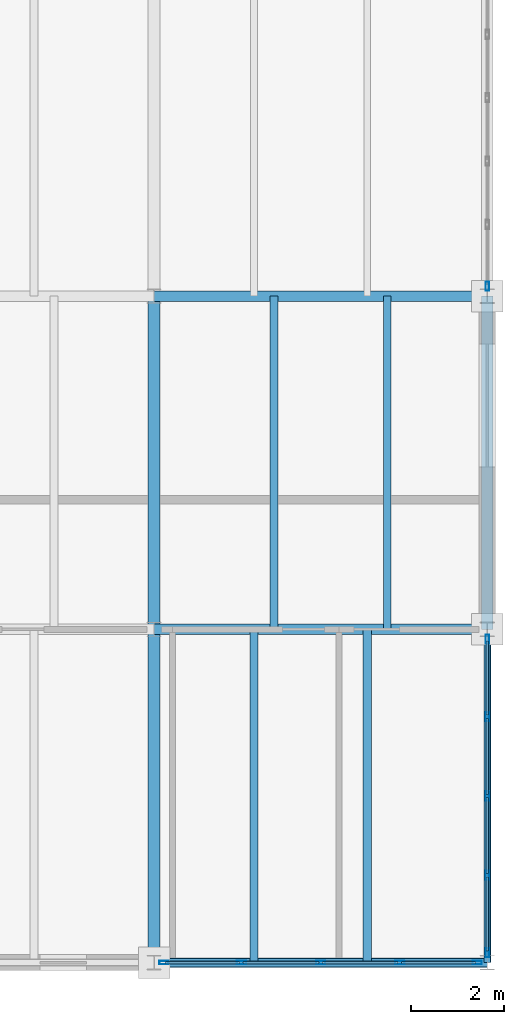
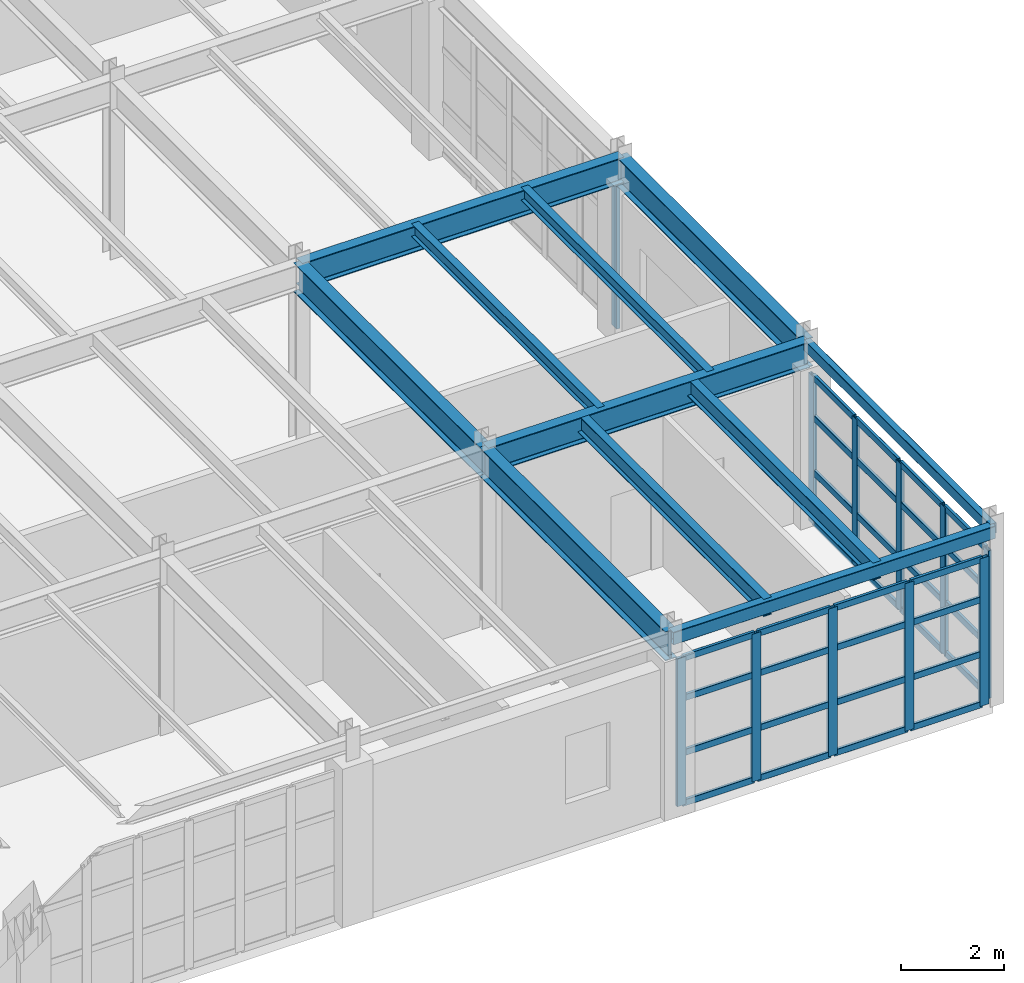
# One storey, part 94 of 137: 43 members, 11 beams, 3 elements without a shape of their own.
"""IFC4 building model written with IfcOpenShell, lengths in metres."""

from ifc_helpers import new_model, si_unit, direction, frame, origin, origin_2d, place, context, subcontext, project, spatial, hollow_rectangle, i_section, extrude, material, layer, layer_set, material_profile, profile_set, type_object, element, aggregate, save


model = new_model("IFC4")

# Units and contexts
model_context = context("Model", 3, precision=1e-05, world=origin(), true_north=direction((0.0, 1.0)))
body_context = subcontext(model_context, "Body", "Model", "MODEL_VIEW")
ifc_project = project(units=[si_unit("LENGTHUNIT", "METRE"), si_unit("AREAUNIT", "SQUARE_METRE"), si_unit("VOLUMEUNIT", "CUBIC_METRE"), si_unit("PLANEANGLEUNIT", "RADIAN"), si_unit("MASSUNIT", "GRAM", prefix="KILO")], contexts=[model_context])

# Site, building, storey
site_placement = place(None, origin())
site = spatial("IfcSite", under=ifc_project, at=site_placement, CompositionType="ELEMENT")
building_placement = place(site_placement, origin())
building = spatial("IfcBuilding", under=site, at=building_placement, Name="Kemerveld Promenade Tramway Depot", CompositionType="ELEMENT")
storey_placement = place(building_placement, frame((0.0, 0.0, 5.39990234375)))
storey = spatial("IfcBuildingStorey", under=building, at=storey_placement, Name="L01", CompositionType="ELEMENT", Elevation=5.39990234375)

# Beams
ifc_material_1 = material(Name="Steel S355", Category="steel")
ifc_material_profile_1 = material_profile(ifc_material_1, i_section(OverallWidth=0.25439453125, OverallDepth=0.6875, WebThickness=0.01318359375, FlangeThickness=0.02099609375, FilletRadius=0.01513671875, at=origin_2d()), Name="686x254x152 UB")
ifc_profile_set_1 = profile_set([ifc_material_profile_1], Name="Steel S355")
beam_type_1 = type_object("IfcBeamType", Name="BM-G03", PredefinedType="BEAM", material=ifc_profile_set_1)
for number, where, z_axis, x_axis, name in (
    (1, (208.800048828125, 0.0, 3.856201171875), (0.0, 1.0, 0.0), (-1.0, 0.0, 0.0), "BMY-L01-30-A-B"),
    (2, (208.800048828125, 7.199951171875, 3.856201171875), (0.0, 1.0, 0.0), (-1.0, 0.0, 0.0), "BMY-L01-30-B-C"),
    (3, (216.0, 7.199951171875, 3.856201171875), (0.0, 1.0, 0.0), (-1.0, 0.0, 0.0), "BMY-L01-31-B-C"),
):
    element("IfcBeam", number, at=place(storey_placement, frame(where, z_axis=z_axis, x_axis=x_axis)), inside=storey, type_object=beam_type_1, Name=name, PredefinedType="BEAM", context=body_context, shape_type="SweptSolid", body=[
        extrude(i_section(OverallWidth=0.25439453125, OverallDepth=0.6875, WebThickness=0.01318359375, FlangeThickness=0.02099609375, FilletRadius=0.01513671875, at=origin_2d()), origin(), (0.0, 0.0, 1.0), 7.199951171875),
    ])
ifc_material_profile_2 = material_profile(ifc_material_1, i_section(OverallWidth=0.22900390625, OverallDepth=0.6123046875, WebThickness=0.011962890625, FlangeThickness=0.01953125, FilletRadius=0.0126953125, at=origin_2d()), Name="610x229x125 UB")
ifc_profile_set_2 = profile_set([ifc_material_profile_2], Name="Steel S355")
beam_type_2 = type_object("IfcBeamType", Name="BM-G04", PredefinedType="BEAM", material=ifc_profile_set_2)
for number, where, z_axis, x_axis, name in (
    (4, (208.800048828125, 7.199951171875, 3.89404296875), (1.0, 0.0, 0.0), (0.0, 1.0, 0.0), "BMX-L01-30-31-B"),
    (5, (208.800048828125, 14.39990234375, 3.89404296875), (1.0, 0.0, 0.0), (0.0, 1.0, 0.0), "BMX-L01-30-31-C"),
):
    element("IfcBeam", number, at=place(storey_placement, frame(where, z_axis=z_axis, x_axis=x_axis)), inside=storey, type_object=beam_type_2, Name=name, PredefinedType="BEAM", context=body_context, shape_type="SweptSolid", body=[
        extrude(i_section(OverallWidth=0.22900390625, OverallDepth=0.6123046875, WebThickness=0.011962890625, FlangeThickness=0.01953125, FilletRadius=0.0126953125, at=origin_2d()), origin(), (0.0, 0.0, 1.0), 7.199951171875),
    ])
ifc_material_profile_3 = material_profile(ifc_material_1, hollow_rectangle(XDim=0.199951171875, YDim=0.300048828125, WallThickness=0.012451171875, InnerFilletRadius=0.00634765625, OuterFilletRadius=0.018798828125, at=origin_2d()), Name="300x200x12.5 RHS")
ifc_profile_set_3 = profile_set([ifc_material_profile_3], Name="Steel S355")
beam_type_3 = type_object("IfcBeamType", Name="BM-G18", PredefinedType="BEAM", material=ifc_profile_set_3)
beam_1_placement = place(storey_placement, frame((208.800048828125, 0.0, 4.050048828125), z_axis=(1.0, 0.0, 0.0), x_axis=(0.0, 1.0, 0.0)))
element("IfcBeam", 6, at=beam_1_placement, inside=storey, type_object=beam_type_3, Name="BMX-L01-30-31-A", PredefinedType="BEAM", context=body_context, shape_type="SweptSolid", body=[
    extrude(hollow_rectangle(XDim=0.199951171875, YDim=0.300048828125, WallThickness=0.012451171875, InnerFilletRadius=0.00634765625, OuterFilletRadius=0.018798828125, at=origin_2d()), origin(), (0.0, 0.0, 1.0), 7.199951171875),
])
ifc_material_profile_4 = material_profile(ifc_material_1, i_section(OverallWidth=0.165771484375, OverallDepth=0.306640625, WebThickness=0.006591796875, FlangeThickness=0.01171875, FilletRadius=0.0087890625, at=origin_2d()), Name="305x165x46 UB")
ifc_profile_set_4 = profile_set([ifc_material_profile_4], Name="Steel S355")
beam_type_4 = type_object("IfcBeamType", Name="BM-J01", PredefinedType="JOIST", material=ifc_profile_set_4)
for number, where, z_axis, x_axis, name in (
    (7, (211.39208984375, 7.199951171875, 4.046875), (0.0, 1.0, 0.0), (-1.0, 0.0, 0.0), "JST-L01-30-B-1"),
    (8, (213.840087890625, 7.199951171875, 4.046875), (0.0, 1.0, 0.0), (-1.0, 0.0, 0.0), "JST-L01-30-B-2"),
):
    element("IfcBeam", number, at=place(storey_placement, frame(where, z_axis=z_axis, x_axis=x_axis)), inside=storey, type_object=beam_type_4, Name=name, PredefinedType="JOIST", context=body_context, shape_type="SweptSolid", body=[
        extrude(i_section(OverallWidth=0.165771484375, OverallDepth=0.306640625, WebThickness=0.006591796875, FlangeThickness=0.01171875, FilletRadius=0.0087890625, at=origin_2d()), origin(), (0.0, 0.0, 1.0), 7.199951171875),
    ])
ifc_material_profile_5 = material_profile(ifc_material_1, i_section(OverallWidth=0.1787109375, OverallDepth=0.409423828125, WebThickness=0.0087890625, FlangeThickness=0.014404296875, FilletRadius=0.01025390625, at=origin_2d()), Name="406x178x67 UB")
ifc_profile_set_5 = profile_set([ifc_material_profile_5], Name="Steel S355")
beam_type_5 = type_object("IfcBeamType", Name="BM-J05", PredefinedType="JOIST", material=ifc_profile_set_5)
for number, where, z_axis, x_axis, name in (
    (9, (210.9599609375, 0.0, 3.995361328125), (0.0, 1.0, 0.0), (-1.0, 0.0, 0.0), "JST-L01-30-A-1"),
    (10, (213.407958984375, 0.0, 3.995361328125), (0.0, 1.0, 0.0), (-1.0, 0.0, 0.0), "JST-L01-30-A-2"),
):
    element("IfcBeam", number, at=place(storey_placement, frame(where, z_axis=z_axis, x_axis=x_axis)), inside=storey, type_object=beam_type_5, Name=name, PredefinedType="JOIST", context=body_context, shape_type="SweptSolid", body=[
        extrude(i_section(OverallWidth=0.1787109375, OverallDepth=0.409423828125, WebThickness=0.0087890625, FlangeThickness=0.014404296875, FilletRadius=0.01025390625, at=origin_2d()), origin(), (0.0, 0.0, 1.0), 7.199951171875),
    ])
ifc_material_profile_6 = material_profile(ifc_material_1, hollow_rectangle(XDim=0.14990234375, YDim=0.25, WallThickness=0.010009765625, InnerFilletRadius=0.0048828125, OuterFilletRadius=0.014892578125, at=origin_2d()), Name="250x150x10.0 RHS")
ifc_profile_set_6 = profile_set([ifc_material_profile_6], Name="Steel S355")
beam_type_6 = type_object("IfcBeamType", Name="BM-SP2", PredefinedType="SPANDREL", material=ifc_profile_set_6)
beam_2_placement = place(storey_placement, frame((216.0, 0.0, 4.0751953125), z_axis=(0.0, 1.0, 0.0), x_axis=(-1.0, 0.0, 0.0)))
element("IfcBeam", 11, at=beam_2_placement, inside=storey, type_object=beam_type_6, Name="BMY-L01-31-A-B", PredefinedType="SPANDREL", context=body_context, shape_type="SweptSolid", body=[
    extrude(hollow_rectangle(XDim=0.14990234375, YDim=0.25, WallThickness=0.010009765625, InnerFilletRadius=0.0048828125, OuterFilletRadius=0.014892578125, at=origin_2d()), origin(), (0.0, 0.0, 1.0), 7.199951171875),
])

# Curtain wall, member
ifc_material_2 = material(Name="Bronze anodised aluminium and solar glass", Category="aluminium")
ifc_layer_1 = layer(ifc_material_2, 0.199951171875)
ifc_layer_set_1 = layer_set([ifc_layer_1], Name="CW-SYS-08")
curtain_wall_type_1 = type_object("IfcCurtainWallType", Name="CW-SYS-08", PredefinedType="USERDEFINED", material=ifc_layer_set_1)
curtain_wall_1_placement = place(storey_placement, origin())
curtain_wall_1 = element("IfcCurtainWall", 12, at=curtain_wall_1_placement, inside=storey, type_object=curtain_wall_type_1, Name="CW-L01-V2E-05", ObjectType="GLAZED_CURTAIN_WALL", PredefinedType="USERDEFINED")
ifc_material_3 = material(Name="Bronze anodised aluminium", Category="aluminium")
ifc_material_profile_7 = material_profile(ifc_material_3, hollow_rectangle(XDim=0.074951171875, YDim=0.199951171875, WallThickness=0.0048828125, InnerFilletRadius=0.001953125, OuterFilletRadius=0.0048828125, at=origin_2d()), Name="CW-MUL-200x75")
ifc_profile_set_7 = profile_set([ifc_material_profile_7], Name="Bronze anodised aluminium")
member_type_1 = type_object("IfcMemberType", Name="CW-MUL-B", PredefinedType="MULLION", material=ifc_profile_set_7)
member_1_placement = place(storey_placement, frame((216.0, 14.61474609375, 0.0), z_axis=(0.0, 0.0, 1.0), x_axis=(1.0, 0.0, 0.0)))
member_1 = element("IfcMember", 13, at=member_1_placement, type_object=member_type_1, Name="CW08 mullion 6", PredefinedType="MULLION", context=body_context, shape_type="SweptSolid", body=[
    extrude(hollow_rectangle(XDim=0.074951171875, YDim=0.199951171875, WallThickness=0.0048828125, InnerFilletRadius=0.001953125, OuterFilletRadius=0.0048828125, at=origin_2d()), origin(), (0.0, 0.0, 1.0), 3.49267578125),
])
aggregate(curtain_wall_1, [member_1])

# Curtain wall, members
ifc_layer_2 = layer(ifc_material_2, 0.199951171875)
ifc_layer_set_2 = layer_set([ifc_layer_2], Name="CW-SYS-10")
curtain_wall_type_2 = type_object("IfcCurtainWallType", Name="CW-SYS-10", PredefinedType="USERDEFINED", material=ifc_layer_set_2)
curtain_wall_2_placement = place(storey_placement, origin())
curtain_wall_2 = element("IfcCurtainWall", 14, at=curtain_wall_2_placement, inside=storey, type_object=curtain_wall_type_2, Name="CW-L01-V2E-07", ObjectType="GLAZED_CURTAIN_WALL", PredefinedType="USERDEFINED")
member_2_placement = place(storey_placement, frame((216.0, 6.9853515625, 0.0), z_axis=(0.0, 0.0, 1.0), x_axis=(1.0, 0.0, 0.0)))
member_2 = element("IfcMember", 15, at=member_2_placement, type_object=member_type_1, Name="CW10 mullion 1", PredefinedType="MULLION", context=body_context, shape_type="SweptSolid", body=[
    extrude(hollow_rectangle(XDim=0.074951171875, YDim=0.199951171875, WallThickness=0.0048828125, InnerFilletRadius=0.001953125, OuterFilletRadius=0.0048828125, at=origin_2d()), origin(), (0.0, 0.0, 1.0), 3.49267578125),
])
member_3_placement = place(storey_placement, frame((216.0, 5.311279296875, 0.0), z_axis=(0.0, 0.0, 1.0), x_axis=(1.0, 0.0, 0.0)))
member_3 = element("IfcMember", 16, at=member_3_placement, type_object=member_type_1, Name="CW10 mullion 2", PredefinedType="MULLION", context=body_context, shape_type="SweptSolid", body=[
    extrude(hollow_rectangle(XDim=0.074951171875, YDim=0.199951171875, WallThickness=0.0048828125, InnerFilletRadius=0.001953125, OuterFilletRadius=0.0048828125, at=origin_2d()), origin(), (0.0, 0.0, 1.0), 3.49267578125),
])
member_4_placement = place(storey_placement, frame((216.0, 3.60009765625, 0.0), z_axis=(0.0, 0.0, 1.0), x_axis=(1.0, 0.0, 0.0)))
member_4 = element("IfcMember", 17, at=member_4_placement, type_object=member_type_1, Name="CW10 mullion 3", PredefinedType="MULLION", context=body_context, shape_type="SweptSolid", body=[
    extrude(hollow_rectangle(XDim=0.074951171875, YDim=0.199951171875, WallThickness=0.0048828125, InnerFilletRadius=0.001953125, OuterFilletRadius=0.0048828125, at=origin_2d()), origin(), (0.0, 0.0, 1.0), 3.49267578125),
])
member_5_placement = place(storey_placement, frame((216.0, 1.888671875, 0.0), z_axis=(0.0, 0.0, 1.0), x_axis=(1.0, 0.0, 0.0)))
member_5 = element("IfcMember", 18, at=member_5_placement, type_object=member_type_1, Name="CW10 mullion 4", PredefinedType="MULLION", context=body_context, shape_type="SweptSolid", body=[
    extrude(hollow_rectangle(XDim=0.074951171875, YDim=0.199951171875, WallThickness=0.0048828125, InnerFilletRadius=0.001953125, OuterFilletRadius=0.0048828125, at=origin_2d()), origin(), (0.0, 0.0, 1.0), 3.49267578125),
])
member_6_placement = place(storey_placement, frame((216.0, 0.214599609375, 0.0), z_axis=(0.0, 0.0, 1.0), x_axis=(1.0, 0.0, 0.0)))
member_6 = element("IfcMember", 19, at=member_6_placement, type_object=member_type_1, Name="CW10 mullion 5", PredefinedType="MULLION", context=body_context, shape_type="SweptSolid", body=[
    extrude(hollow_rectangle(XDim=0.074951171875, YDim=0.199951171875, WallThickness=0.0048828125, InnerFilletRadius=0.001953125, OuterFilletRadius=0.0048828125, at=origin_2d()), origin(), (0.0, 0.0, 1.0), 3.49267578125),
])

ifc_layer_3 = layer(ifc_material_2, 0.199951171875)
ifc_layer_set_3 = layer_set([ifc_layer_3], Name="CW-SYS-04")
curtain_wall_type_3 = type_object("IfcCurtainWallType", Name="CW-SYS-04", PredefinedType="USERDEFINED", material=ifc_layer_set_3)
curtain_wall_3_placement = place(storey_placement, origin())
curtain_wall_3 = element("IfcCurtainWall", 20, at=curtain_wall_3_placement, inside=storey, type_object=curtain_wall_type_3, Name="CW-L01-V2S-01", ObjectType="GLAZED_CURTAIN_WALL", PredefinedType="USERDEFINED")
member_7_placement = place(storey_placement, frame((215.785400390625, 0.0, 0.0), z_axis=(0.0, 0.0, 1.0), x_axis=(0.0, -1.0, 0.0)))
member_7 = element("IfcMember", 21, at=member_7_placement, type_object=member_type_1, Name="CW04 mullion 1", PredefinedType="MULLION", context=body_context, shape_type="SweptSolid", body=[
    extrude(hollow_rectangle(XDim=0.074951171875, YDim=0.199951171875, WallThickness=0.0048828125, InnerFilletRadius=0.001953125, OuterFilletRadius=0.0048828125, at=origin_2d()), origin(), (0.0, 0.0, 1.0), 3.49267578125),
])
member_8_placement = place(storey_placement, frame((214.111328125, 0.0, 0.0), z_axis=(0.0, 0.0, 1.0), x_axis=(0.0, -1.0, 0.0)))
member_8 = element("IfcMember", 22, at=member_8_placement, type_object=member_type_1, Name="CW04 mullion 2", PredefinedType="MULLION", context=body_context, shape_type="SweptSolid", body=[
    extrude(hollow_rectangle(XDim=0.074951171875, YDim=0.199951171875, WallThickness=0.0048828125, InnerFilletRadius=0.001953125, OuterFilletRadius=0.0048828125, at=origin_2d()), origin(), (0.0, 0.0, 1.0), 3.49267578125),
])
member_9_placement = place(storey_placement, frame((212.39990234375, 0.0, 0.0), z_axis=(0.0, 0.0, 1.0), x_axis=(0.0, -1.0, 0.0)))
member_9 = element("IfcMember", 23, at=member_9_placement, type_object=member_type_1, Name="CW04 mullion 3", PredefinedType="MULLION", context=body_context, shape_type="SweptSolid", body=[
    extrude(hollow_rectangle(XDim=0.074951171875, YDim=0.199951171875, WallThickness=0.0048828125, InnerFilletRadius=0.001953125, OuterFilletRadius=0.0048828125, at=origin_2d()), origin(), (0.0, 0.0, 1.0), 3.49267578125),
])
member_10_placement = place(storey_placement, frame((210.688720703125, 0.0, 0.0), z_axis=(0.0, 0.0, 1.0), x_axis=(0.0, -1.0, 0.0)))
member_10 = element("IfcMember", 24, at=member_10_placement, type_object=member_type_1, Name="CW04 mullion 4", PredefinedType="MULLION", context=body_context, shape_type="SweptSolid", body=[
    extrude(hollow_rectangle(XDim=0.074951171875, YDim=0.199951171875, WallThickness=0.0048828125, InnerFilletRadius=0.001953125, OuterFilletRadius=0.0048828125, at=origin_2d()), origin(), (0.0, 0.0, 1.0), 3.49267578125),
])
member_11_placement = place(storey_placement, frame((209.0146484375, 0.0, 0.0), z_axis=(0.0, 0.0, 1.0), x_axis=(0.0, -1.0, 0.0)))
member_11 = element("IfcMember", 25, at=member_11_placement, type_object=member_type_1, Name="CW04 mullion 5", PredefinedType="MULLION", context=body_context, shape_type="SweptSolid", body=[
    extrude(hollow_rectangle(XDim=0.074951171875, YDim=0.199951171875, WallThickness=0.0048828125, InnerFilletRadius=0.001953125, OuterFilletRadius=0.0048828125, at=origin_2d()), origin(), (0.0, 0.0, 1.0), 3.49267578125),
])

# Member
ifc_material_profile_8 = material_profile(ifc_material_3, hollow_rectangle(XDim=0.06494140625, YDim=0.14990234375, WallThickness=0.00439453125, InnerFilletRadius=0.001953125, OuterFilletRadius=0.00439453125, at=origin_2d()), Name="CW-TRN-150x65")
ifc_profile_set_8 = profile_set([ifc_material_profile_8], Name="Bronze anodised aluminium")
member_type_2 = type_object("IfcMemberType", Name="CW-TRN-B", PredefinedType="USERDEFINED", material=ifc_profile_set_8)
member_12_placement = place(storey_placement, frame((216.0, 6.94775390625, 0.03271484375), z_axis=(0.0, -1.0, 0.0), x_axis=(1.0, 0.0, 0.0)))
member_12 = element("IfcMember", 26, at=member_12_placement, type_object=member_type_2, Name="CW10 transom 1.1", ObjectType="TRANSOM", PredefinedType="USERDEFINED", context=body_context, shape_type="SweptSolid", body=[
    extrude(hollow_rectangle(XDim=0.06494140625, YDim=0.14990234375, WallThickness=0.00439453125, InnerFilletRadius=0.001953125, OuterFilletRadius=0.00439453125, at=origin_2d()), origin(), (0.0, 0.0, 1.0), 1.598876953125),
])

member_13_placement = place(storey_placement, frame((216.0, 6.94775390625, 1.22216796875), z_axis=(0.0, -1.0, 0.0), x_axis=(1.0, 0.0, 0.0)))
member_13 = element("IfcMember", 27, at=member_13_placement, type_object=member_type_2, Name="CW10 transom 1.2", ObjectType="TRANSOM", PredefinedType="USERDEFINED", context=body_context, shape_type="SweptSolid", body=[
    extrude(hollow_rectangle(XDim=0.06494140625, YDim=0.14990234375, WallThickness=0.00439453125, InnerFilletRadius=0.001953125, OuterFilletRadius=0.00439453125, at=origin_2d()), origin(), (0.0, 0.0, 1.0), 1.598876953125),
])

member_14_placement = place(storey_placement, frame((216.0, 6.94775390625, 2.51513671875), z_axis=(0.0, -1.0, 0.0), x_axis=(1.0, 0.0, 0.0)))
member_14 = element("IfcMember", 28, at=member_14_placement, type_object=member_type_2, Name="CW10 transom 1.3", ObjectType="TRANSOM", PredefinedType="USERDEFINED", context=body_context, shape_type="SweptSolid", body=[
    extrude(hollow_rectangle(XDim=0.06494140625, YDim=0.14990234375, WallThickness=0.00439453125, InnerFilletRadius=0.001953125, OuterFilletRadius=0.00439453125, at=origin_2d()), origin(), (0.0, 0.0, 1.0), 1.598876953125),
])

member_15_placement = place(storey_placement, frame((216.0, 6.94775390625, 3.460205078125), z_axis=(0.0, -1.0, 0.0), x_axis=(1.0, 0.0, 0.0)))
member_15 = element("IfcMember", 29, at=member_15_placement, type_object=member_type_2, Name="CW10 transom 1.4", ObjectType="TRANSOM", PredefinedType="USERDEFINED", context=body_context, shape_type="SweptSolid", body=[
    extrude(hollow_rectangle(XDim=0.06494140625, YDim=0.14990234375, WallThickness=0.00439453125, InnerFilletRadius=0.001953125, OuterFilletRadius=0.00439453125, at=origin_2d()), origin(), (0.0, 0.0, 1.0), 1.598876953125),
])

member_16_placement = place(storey_placement, frame((216.0, 5.27392578125, 0.03271484375), z_axis=(0.0, -1.0, 0.0), x_axis=(1.0, 0.0, 0.0)))
member_16 = element("IfcMember", 30, at=member_16_placement, type_object=member_type_2, Name="CW10 transom 2.1", ObjectType="TRANSOM", PredefinedType="USERDEFINED", context=body_context, shape_type="SweptSolid", body=[
    extrude(hollow_rectangle(XDim=0.06494140625, YDim=0.14990234375, WallThickness=0.00439453125, InnerFilletRadius=0.001953125, OuterFilletRadius=0.00439453125, at=origin_2d()), origin(), (0.0, 0.0, 1.0), 1.636474609375),
])

member_17_placement = place(storey_placement, frame((216.0, 5.27392578125, 1.22216796875), z_axis=(0.0, -1.0, 0.0), x_axis=(1.0, 0.0, 0.0)))
member_17 = element("IfcMember", 31, at=member_17_placement, type_object=member_type_2, Name="CW10 transom 2.2", ObjectType="TRANSOM", PredefinedType="USERDEFINED", context=body_context, shape_type="SweptSolid", body=[
    extrude(hollow_rectangle(XDim=0.06494140625, YDim=0.14990234375, WallThickness=0.00439453125, InnerFilletRadius=0.001953125, OuterFilletRadius=0.00439453125, at=origin_2d()), origin(), (0.0, 0.0, 1.0), 1.636474609375),
])

member_18_placement = place(storey_placement, frame((216.0, 5.27392578125, 2.51513671875), z_axis=(0.0, -1.0, 0.0), x_axis=(1.0, 0.0, 0.0)))
member_18 = element("IfcMember", 32, at=member_18_placement, type_object=member_type_2, Name="CW10 transom 2.3", ObjectType="TRANSOM", PredefinedType="USERDEFINED", context=body_context, shape_type="SweptSolid", body=[
    extrude(hollow_rectangle(XDim=0.06494140625, YDim=0.14990234375, WallThickness=0.00439453125, InnerFilletRadius=0.001953125, OuterFilletRadius=0.00439453125, at=origin_2d()), origin(), (0.0, 0.0, 1.0), 1.636474609375),
])

member_19_placement = place(storey_placement, frame((216.0, 5.27392578125, 3.460205078125), z_axis=(0.0, -1.0, 0.0), x_axis=(1.0, 0.0, 0.0)))
member_19 = element("IfcMember", 33, at=member_19_placement, type_object=member_type_2, Name="CW10 transom 2.4", ObjectType="TRANSOM", PredefinedType="USERDEFINED", context=body_context, shape_type="SweptSolid", body=[
    extrude(hollow_rectangle(XDim=0.06494140625, YDim=0.14990234375, WallThickness=0.00439453125, InnerFilletRadius=0.001953125, OuterFilletRadius=0.00439453125, at=origin_2d()), origin(), (0.0, 0.0, 1.0), 1.636474609375),
])

member_20_placement = place(storey_placement, frame((216.0, 3.5625, 0.03271484375), z_axis=(0.0, -1.0, 0.0), x_axis=(1.0, 0.0, 0.0)))
member_20 = element("IfcMember", 34, at=member_20_placement, type_object=member_type_2, Name="CW10 transom 3.1", ObjectType="TRANSOM", PredefinedType="USERDEFINED", context=body_context, shape_type="SweptSolid", body=[
    extrude(hollow_rectangle(XDim=0.06494140625, YDim=0.14990234375, WallThickness=0.00439453125, InnerFilletRadius=0.001953125, OuterFilletRadius=0.00439453125, at=origin_2d()), origin(), (0.0, 0.0, 1.0), 1.636474609375),
])

member_21_placement = place(storey_placement, frame((216.0, 3.5625, 1.22216796875), z_axis=(0.0, -1.0, 0.0), x_axis=(1.0, 0.0, 0.0)))
member_21 = element("IfcMember", 35, at=member_21_placement, type_object=member_type_2, Name="CW10 transom 3.2", ObjectType="TRANSOM", PredefinedType="USERDEFINED", context=body_context, shape_type="SweptSolid", body=[
    extrude(hollow_rectangle(XDim=0.06494140625, YDim=0.14990234375, WallThickness=0.00439453125, InnerFilletRadius=0.001953125, OuterFilletRadius=0.00439453125, at=origin_2d()), origin(), (0.0, 0.0, 1.0), 1.636474609375),
])

member_22_placement = place(storey_placement, frame((216.0, 3.5625, 2.51513671875), z_axis=(0.0, -1.0, 0.0), x_axis=(1.0, 0.0, 0.0)))
member_22 = element("IfcMember", 36, at=member_22_placement, type_object=member_type_2, Name="CW10 transom 3.3", ObjectType="TRANSOM", PredefinedType="USERDEFINED", context=body_context, shape_type="SweptSolid", body=[
    extrude(hollow_rectangle(XDim=0.06494140625, YDim=0.14990234375, WallThickness=0.00439453125, InnerFilletRadius=0.001953125, OuterFilletRadius=0.00439453125, at=origin_2d()), origin(), (0.0, 0.0, 1.0), 1.636474609375),
])

member_23_placement = place(storey_placement, frame((216.0, 3.5625, 3.460205078125), z_axis=(0.0, -1.0, 0.0), x_axis=(1.0, 0.0, 0.0)))
member_23 = element("IfcMember", 37, at=member_23_placement, type_object=member_type_2, Name="CW10 transom 3.4", ObjectType="TRANSOM", PredefinedType="USERDEFINED", context=body_context, shape_type="SweptSolid", body=[
    extrude(hollow_rectangle(XDim=0.06494140625, YDim=0.14990234375, WallThickness=0.00439453125, InnerFilletRadius=0.001953125, OuterFilletRadius=0.00439453125, at=origin_2d()), origin(), (0.0, 0.0, 1.0), 1.636474609375),
])

member_24_placement = place(storey_placement, frame((216.0, 1.85107421875, 0.03271484375), z_axis=(0.0, -1.0, 0.0), x_axis=(1.0, 0.0, 0.0)))
member_24 = element("IfcMember", 38, at=member_24_placement, type_object=member_type_2, Name="CW10 transom 4.1", ObjectType="TRANSOM", PredefinedType="USERDEFINED", context=body_context, shape_type="SweptSolid", body=[
    extrude(hollow_rectangle(XDim=0.06494140625, YDim=0.14990234375, WallThickness=0.00439453125, InnerFilletRadius=0.001953125, OuterFilletRadius=0.00439453125, at=origin_2d()), origin(), (0.0, 0.0, 1.0), 1.598876953125),
])

member_25_placement = place(storey_placement, frame((216.0, 1.85107421875, 1.22216796875), z_axis=(0.0, -1.0, 0.0), x_axis=(1.0, 0.0, 0.0)))
member_25 = element("IfcMember", 39, at=member_25_placement, type_object=member_type_2, Name="CW10 transom 4.2", ObjectType="TRANSOM", PredefinedType="USERDEFINED", context=body_context, shape_type="SweptSolid", body=[
    extrude(hollow_rectangle(XDim=0.06494140625, YDim=0.14990234375, WallThickness=0.00439453125, InnerFilletRadius=0.001953125, OuterFilletRadius=0.00439453125, at=origin_2d()), origin(), (0.0, 0.0, 1.0), 1.598876953125),
])

member_26_placement = place(storey_placement, frame((216.0, 1.85107421875, 2.51513671875), z_axis=(0.0, -1.0, 0.0), x_axis=(1.0, 0.0, 0.0)))
member_26 = element("IfcMember", 40, at=member_26_placement, type_object=member_type_2, Name="CW10 transom 4.3", ObjectType="TRANSOM", PredefinedType="USERDEFINED", context=body_context, shape_type="SweptSolid", body=[
    extrude(hollow_rectangle(XDim=0.06494140625, YDim=0.14990234375, WallThickness=0.00439453125, InnerFilletRadius=0.001953125, OuterFilletRadius=0.00439453125, at=origin_2d()), origin(), (0.0, 0.0, 1.0), 1.598876953125),
])

member_27_placement = place(storey_placement, frame((216.0, 1.85107421875, 3.460205078125), z_axis=(0.0, -1.0, 0.0), x_axis=(1.0, 0.0, 0.0)))
member_27 = element("IfcMember", 41, at=member_27_placement, type_object=member_type_2, Name="CW10 transom 4.4", ObjectType="TRANSOM", PredefinedType="USERDEFINED", context=body_context, shape_type="SweptSolid", body=[
    extrude(hollow_rectangle(XDim=0.06494140625, YDim=0.14990234375, WallThickness=0.00439453125, InnerFilletRadius=0.001953125, OuterFilletRadius=0.00439453125, at=origin_2d()), origin(), (0.0, 0.0, 1.0), 1.598876953125),
])

aggregate(curtain_wall_2, [member_2, member_3, member_4, member_5, member_6, member_12, member_13, member_14, member_15, member_16, member_17, member_18, member_19, member_20, member_21, member_22, member_23, member_24, member_25, member_26, member_27])

member_28_placement = place(storey_placement, frame((215.747802734375, 0.0, 0.03271484375), z_axis=(-1.0, 0.0, 0.0), x_axis=(0.0, -1.0, 0.0)))
member_28 = element("IfcMember", 42, at=member_28_placement, type_object=member_type_2, Name="CW04 transom 1.1", ObjectType="TRANSOM", PredefinedType="USERDEFINED", context=body_context, shape_type="SweptSolid", body=[
    extrude(hollow_rectangle(XDim=0.06494140625, YDim=0.14990234375, WallThickness=0.00439453125, InnerFilletRadius=0.001953125, OuterFilletRadius=0.00439453125, at=origin_2d()), origin(), (0.0, 0.0, 1.0), 1.598876953125),
])

member_29_placement = place(storey_placement, frame((215.747802734375, 0.0, 1.22216796875), z_axis=(-1.0, 0.0, 0.0), x_axis=(0.0, -1.0, 0.0)))
member_29 = element("IfcMember", 43, at=member_29_placement, type_object=member_type_2, Name="CW04 transom 1.2", ObjectType="TRANSOM", PredefinedType="USERDEFINED", context=body_context, shape_type="SweptSolid", body=[
    extrude(hollow_rectangle(XDim=0.06494140625, YDim=0.14990234375, WallThickness=0.00439453125, InnerFilletRadius=0.001953125, OuterFilletRadius=0.00439453125, at=origin_2d()), origin(), (0.0, 0.0, 1.0), 1.598876953125),
])

member_30_placement = place(storey_placement, frame((215.747802734375, 0.0, 2.51513671875), z_axis=(-1.0, 0.0, 0.0), x_axis=(0.0, -1.0, 0.0)))
member_30 = element("IfcMember", 44, at=member_30_placement, type_object=member_type_2, Name="CW04 transom 1.3", ObjectType="TRANSOM", PredefinedType="USERDEFINED", context=body_context, shape_type="SweptSolid", body=[
    extrude(hollow_rectangle(XDim=0.06494140625, YDim=0.14990234375, WallThickness=0.00439453125, InnerFilletRadius=0.001953125, OuterFilletRadius=0.00439453125, at=origin_2d()), origin(), (0.0, 0.0, 1.0), 1.598876953125),
])

member_31_placement = place(storey_placement, frame((215.747802734375, 0.0, 3.460205078125), z_axis=(-1.0, 0.0, 0.0), x_axis=(0.0, -1.0, 0.0)))
member_31 = element("IfcMember", 45, at=member_31_placement, type_object=member_type_2, Name="CW04 transom 1.4", ObjectType="TRANSOM", PredefinedType="USERDEFINED", context=body_context, shape_type="SweptSolid", body=[
    extrude(hollow_rectangle(XDim=0.06494140625, YDim=0.14990234375, WallThickness=0.00439453125, InnerFilletRadius=0.001953125, OuterFilletRadius=0.00439453125, at=origin_2d()), origin(), (0.0, 0.0, 1.0), 1.598876953125),
])

member_32_placement = place(storey_placement, frame((214.073974609375, 0.0, 0.03271484375), z_axis=(-1.0, 0.0, 0.0), x_axis=(0.0, -1.0, 0.0)))
member_32 = element("IfcMember", 46, at=member_32_placement, type_object=member_type_2, Name="CW04 transom 2.1", ObjectType="TRANSOM", PredefinedType="USERDEFINED", context=body_context, shape_type="SweptSolid", body=[
    extrude(hollow_rectangle(XDim=0.06494140625, YDim=0.14990234375, WallThickness=0.00439453125, InnerFilletRadius=0.001953125, OuterFilletRadius=0.00439453125, at=origin_2d()), origin(), (0.0, 0.0, 1.0), 1.636474609375),
])

member_33_placement = place(storey_placement, frame((214.073974609375, 0.0, 1.22216796875), z_axis=(-1.0, 0.0, 0.0), x_axis=(0.0, -1.0, 0.0)))
member_33 = element("IfcMember", 47, at=member_33_placement, type_object=member_type_2, Name="CW04 transom 2.2", ObjectType="TRANSOM", PredefinedType="USERDEFINED", context=body_context, shape_type="SweptSolid", body=[
    extrude(hollow_rectangle(XDim=0.06494140625, YDim=0.14990234375, WallThickness=0.00439453125, InnerFilletRadius=0.001953125, OuterFilletRadius=0.00439453125, at=origin_2d()), origin(), (0.0, 0.0, 1.0), 1.636474609375),
])

member_34_placement = place(storey_placement, frame((214.073974609375, 0.0, 2.51513671875), z_axis=(-1.0, 0.0, 0.0), x_axis=(0.0, -1.0, 0.0)))
member_34 = element("IfcMember", 48, at=member_34_placement, type_object=member_type_2, Name="CW04 transom 2.3", ObjectType="TRANSOM", PredefinedType="USERDEFINED", context=body_context, shape_type="SweptSolid", body=[
    extrude(hollow_rectangle(XDim=0.06494140625, YDim=0.14990234375, WallThickness=0.00439453125, InnerFilletRadius=0.001953125, OuterFilletRadius=0.00439453125, at=origin_2d()), origin(), (0.0, 0.0, 1.0), 1.636474609375),
])

member_35_placement = place(storey_placement, frame((214.073974609375, 0.0, 3.460205078125), z_axis=(-1.0, 0.0, 0.0), x_axis=(0.0, -1.0, 0.0)))
member_35 = element("IfcMember", 49, at=member_35_placement, type_object=member_type_2, Name="CW04 transom 2.4", ObjectType="TRANSOM", PredefinedType="USERDEFINED", context=body_context, shape_type="SweptSolid", body=[
    extrude(hollow_rectangle(XDim=0.06494140625, YDim=0.14990234375, WallThickness=0.00439453125, InnerFilletRadius=0.001953125, OuterFilletRadius=0.00439453125, at=origin_2d()), origin(), (0.0, 0.0, 1.0), 1.636474609375),
])

member_36_placement = place(storey_placement, frame((212.362548828125, 0.0, 0.03271484375), z_axis=(-1.0, 0.0, 0.0), x_axis=(0.0, -1.0, 0.0)))
member_36 = element("IfcMember", 50, at=member_36_placement, type_object=member_type_2, Name="CW04 transom 3.1", ObjectType="TRANSOM", PredefinedType="USERDEFINED", context=body_context, shape_type="SweptSolid", body=[
    extrude(hollow_rectangle(XDim=0.06494140625, YDim=0.14990234375, WallThickness=0.00439453125, InnerFilletRadius=0.001953125, OuterFilletRadius=0.00439453125, at=origin_2d()), origin(), (0.0, 0.0, 1.0), 1.636474609375),
])

member_37_placement = place(storey_placement, frame((212.362548828125, 0.0, 1.22216796875), z_axis=(-1.0, 0.0, 0.0), x_axis=(0.0, -1.0, 0.0)))
member_37 = element("IfcMember", 51, at=member_37_placement, type_object=member_type_2, Name="CW04 transom 3.2", ObjectType="TRANSOM", PredefinedType="USERDEFINED", context=body_context, shape_type="SweptSolid", body=[
    extrude(hollow_rectangle(XDim=0.06494140625, YDim=0.14990234375, WallThickness=0.00439453125, InnerFilletRadius=0.001953125, OuterFilletRadius=0.00439453125, at=origin_2d()), origin(), (0.0, 0.0, 1.0), 1.636474609375),
])

member_38_placement = place(storey_placement, frame((212.362548828125, 0.0, 2.51513671875), z_axis=(-1.0, 0.0, 0.0), x_axis=(0.0, -1.0, 0.0)))
member_38 = element("IfcMember", 52, at=member_38_placement, type_object=member_type_2, Name="CW04 transom 3.3", ObjectType="TRANSOM", PredefinedType="USERDEFINED", context=body_context, shape_type="SweptSolid", body=[
    extrude(hollow_rectangle(XDim=0.06494140625, YDim=0.14990234375, WallThickness=0.00439453125, InnerFilletRadius=0.001953125, OuterFilletRadius=0.00439453125, at=origin_2d()), origin(), (0.0, 0.0, 1.0), 1.636474609375),
])

member_39_placement = place(storey_placement, frame((212.362548828125, 0.0, 3.460205078125), z_axis=(-1.0, 0.0, 0.0), x_axis=(0.0, -1.0, 0.0)))
member_39 = element("IfcMember", 53, at=member_39_placement, type_object=member_type_2, Name="CW04 transom 3.4", ObjectType="TRANSOM", PredefinedType="USERDEFINED", context=body_context, shape_type="SweptSolid", body=[
    extrude(hollow_rectangle(XDim=0.06494140625, YDim=0.14990234375, WallThickness=0.00439453125, InnerFilletRadius=0.001953125, OuterFilletRadius=0.00439453125, at=origin_2d()), origin(), (0.0, 0.0, 1.0), 1.636474609375),
])

member_40_placement = place(storey_placement, frame((210.651123046875, 0.0, 0.03271484375), z_axis=(-1.0, 0.0, 0.0), x_axis=(0.0, -1.0, 0.0)))
member_40 = element("IfcMember", 54, at=member_40_placement, type_object=member_type_2, Name="CW04 transom 4.1", ObjectType="TRANSOM", PredefinedType="USERDEFINED", context=body_context, shape_type="SweptSolid", body=[
    extrude(hollow_rectangle(XDim=0.06494140625, YDim=0.14990234375, WallThickness=0.00439453125, InnerFilletRadius=0.001953125, OuterFilletRadius=0.00439453125, at=origin_2d()), origin(), (0.0, 0.0, 1.0), 1.598876953125),
])

member_41_placement = place(storey_placement, frame((210.651123046875, 0.0, 1.22216796875), z_axis=(-1.0, 0.0, 0.0), x_axis=(0.0, -1.0, 0.0)))
member_41 = element("IfcMember", 55, at=member_41_placement, type_object=member_type_2, Name="CW04 transom 4.2", ObjectType="TRANSOM", PredefinedType="USERDEFINED", context=body_context, shape_type="SweptSolid", body=[
    extrude(hollow_rectangle(XDim=0.06494140625, YDim=0.14990234375, WallThickness=0.00439453125, InnerFilletRadius=0.001953125, OuterFilletRadius=0.00439453125, at=origin_2d()), origin(), (0.0, 0.0, 1.0), 1.598876953125),
])

member_42_placement = place(storey_placement, frame((210.651123046875, 0.0, 2.51513671875), z_axis=(-1.0, 0.0, 0.0), x_axis=(0.0, -1.0, 0.0)))
member_42 = element("IfcMember", 56, at=member_42_placement, type_object=member_type_2, Name="CW04 transom 4.3", ObjectType="TRANSOM", PredefinedType="USERDEFINED", context=body_context, shape_type="SweptSolid", body=[
    extrude(hollow_rectangle(XDim=0.06494140625, YDim=0.14990234375, WallThickness=0.00439453125, InnerFilletRadius=0.001953125, OuterFilletRadius=0.00439453125, at=origin_2d()), origin(), (0.0, 0.0, 1.0), 1.598876953125),
])

member_43_placement = place(storey_placement, frame((210.651123046875, 0.0, 3.460205078125), z_axis=(-1.0, 0.0, 0.0), x_axis=(0.0, -1.0, 0.0)))
member_43 = element("IfcMember", 57, at=member_43_placement, type_object=member_type_2, Name="CW04 transom 4.4", ObjectType="TRANSOM", PredefinedType="USERDEFINED", context=body_context, shape_type="SweptSolid", body=[
    extrude(hollow_rectangle(XDim=0.06494140625, YDim=0.14990234375, WallThickness=0.00439453125, InnerFilletRadius=0.001953125, OuterFilletRadius=0.00439453125, at=origin_2d()), origin(), (0.0, 0.0, 1.0), 1.598876953125),
])

aggregate(curtain_wall_3, [member_7, member_8, member_9, member_10, member_11, member_28, member_29, member_30, member_31, member_32, member_33, member_34, member_35, member_36, member_37, member_38, member_39, member_40, member_41, member_42, member_43])

save(model, "model.ifc")
